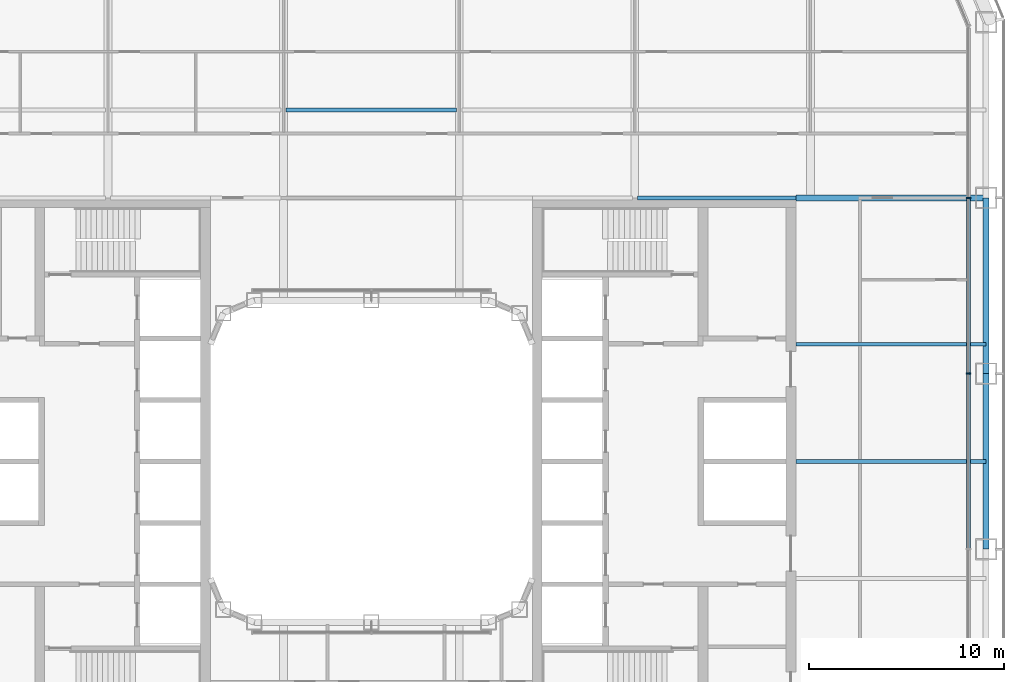
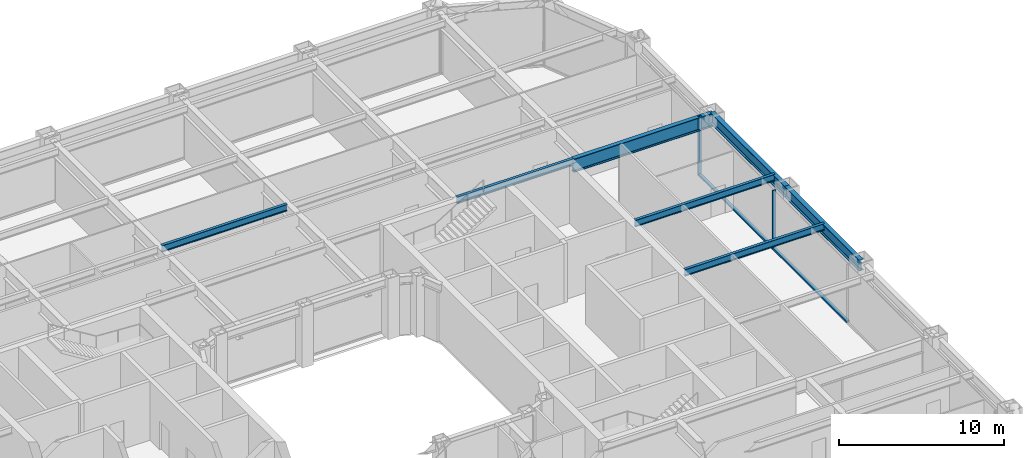
# One storey, part 9 of 24: 7 beams, 4 members, 1 element without a shape of its own.
"""IFC4 building model written with IfcOpenShell, lengths in metres."""

from ifc_helpers import new_model, si_unit, direction, frame, origin, origin_2d, place, context, subcontext, project, spatial, rectangle, i_section, extrude, material, layer, layer_set, material_profile, profile_set, type_object, element, aggregate, save


model = new_model("IFC4")

# Units and contexts
model_context = context("Model", 3, precision=1e-05, world=origin(), true_north=direction((0.0, 1.0)))
body_context = subcontext(model_context, "Body", "Model", "MODEL_VIEW")
ifc_project = project(units=[si_unit("LENGTHUNIT", "METRE"), si_unit("AREAUNIT", "SQUARE_METRE"), si_unit("VOLUMEUNIT", "CUBIC_METRE"), si_unit("PLANEANGLEUNIT", "RADIAN"), si_unit("MASSUNIT", "GRAM", prefix="KILO")], contexts=[model_context])

# Site, building, storey
site_placement = place(None, origin())
site = spatial("IfcSite", under=ifc_project, at=site_placement, CompositionType="ELEMENT")
building_placement = place(site_placement, origin())
building = spatial("IfcBuilding", under=site, at=building_placement, Name="Siwar Civic Tower", CompositionType="ELEMENT")
storey_placement = place(building_placement, frame((0.0, 0.0, 40.199951171875)))
storey = spatial("IfcBuildingStorey", under=building, at=storey_placement, Name="L08", CompositionType="ELEMENT", Elevation=40.199951171875)

# Curtain wall, members
ifc_material_1 = material(Name="Aluminium and glass", Category="aluminium")
ifc_layer = layer(ifc_material_1, 0.219970703125)
ifc_layer_set = layer_set([ifc_layer], Name="Aluminium and glass")
curtain_wall_type = type_object("IfcCurtainWallType", Name="ENV-CW-A", PredefinedType="NOTDEFINED", material=ifc_layer_set)
curtain_wall_placement = place(storey_placement, origin())
curtain_wall = element("IfcCurtainWall", 1, at=curtain_wall_placement, inside=storey, type_object=curtain_wall_type, Name="Curtain wall A E", PredefinedType="NOTDEFINED")
ifc_material_2 = material(Name="Aluminium 6063-T6", Category="aluminium")
ifc_material_profile_1 = material_profile(ifc_material_2, rectangle(XDim=0.219970703125, YDim=0.070068359375, at=origin_2d()), Name="AL 220x70")
ifc_profile_set_1 = profile_set([ifc_material_profile_1], Name="Aluminium 6063-T6")
member_type_1 = type_object("IfcMemberType", Name="ENV-MULLION-A", PredefinedType="MULLION", material=ifc_profile_set_1)
member_1_placement = place(storey_placement, frame((30.60009765625, 4.5, 0.0), z_axis=(0.0, 0.0, 1.0), x_axis=(-1.0, 0.0, 0.0)))
member_1 = element("IfcMember", 2, at=member_1_placement, type_object=member_type_1, Name="Mullion A E 4", PredefinedType="MULLION", context=body_context, shape_type="SweptSolid", body=[
    extrude(rectangle(XDim=0.219970703125, YDim=0.070068359375, at=origin_2d()), origin(), (0.0, 0.0, 1.0), 4.35009765625),
])
member_2_placement = place(storey_placement, frame((30.60009765625, 13.5, 0.0), z_axis=(0.0, 0.0, 1.0), x_axis=(-1.0, 0.0, 0.0)))
member_2 = element("IfcMember", 3, at=member_2_placement, type_object=member_type_1, Name="Mullion A E 5", PredefinedType="MULLION", context=body_context, shape_type="SweptSolid", body=[
    extrude(rectangle(XDim=0.219970703125, YDim=0.070068359375, at=origin_2d()), origin(), (0.0, 0.0, 1.0), 4.35009765625),
])
ifc_material_3 = material(Name="Aluminium 6063-T6", Category="aluminium")
ifc_material_profile_2 = material_profile(ifc_material_3, rectangle(XDim=0.219970703125, YDim=0.1201171875, at=origin_2d()), Name="AL 220x120")
ifc_profile_set_2 = profile_set([ifc_material_profile_2], Name="Aluminium 6063-T6")
member_type_2 = type_object("IfcMemberType", Name="ENV-TRANSOM-A", PredefinedType="USERDEFINED", material=ifc_profile_set_2)
member_3_placement = place(storey_placement, frame((30.60009765625, -4.465087890625, 0.06005859375), z_axis=(0.0, 1.0, 0.0), x_axis=(-1.0, 0.0, 0.0)))
member_3 = element("IfcMember", 4, at=member_3_placement, type_object=member_type_2, Name="Transom A E 3", ObjectType="TRANSOM", PredefinedType="USERDEFINED", context=body_context, shape_type="SweptSolid", body=[
    extrude(rectangle(XDim=0.219970703125, YDim=0.1201171875, at=origin_2d()), origin(), (0.0, 0.0, 1.0), 8.93017578125),
])
member_4_placement = place(storey_placement, frame((30.60009765625, 4.534912109375, 0.06005859375), z_axis=(0.0, 1.0, 0.0), x_axis=(-1.0, 0.0, 0.0)))
member_4 = element("IfcMember", 5, at=member_4_placement, type_object=member_type_2, Name="Transom A E 4", ObjectType="TRANSOM", PredefinedType="USERDEFINED", context=body_context, shape_type="SweptSolid", body=[
    extrude(rectangle(XDim=0.219970703125, YDim=0.1201171875, at=origin_2d()), origin(), (0.0, 0.0, 1.0), 8.93017578125),
])
aggregate(curtain_wall, [member_1, member_2, member_3, member_4])

# Beams
ifc_material_4 = material(Name="Steel S355", Category="steel")
ifc_material_profile_3 = material_profile(ifc_material_4, i_section(OverallWidth=0.199951171875, OverallDepth=0.5, WebThickness=0.01025390625, FlangeThickness=0.01611328125, FilletRadius=0.02099609375, at=origin_2d()), Name="IPE500")
ifc_profile_set_3 = profile_set([ifc_material_profile_3], Name="Steel S355")
beam_type_1 = type_object("IfcBeamType", Name="STR-FB-IPE500", PredefinedType="JOIST", material=ifc_profile_set_3)
for number, where, z_axis, x_axis, name in (
    (6, (21.75, 0.0, 4.10009765625), (1.0, 0.0, 0.0), (0.0, 1.0, 0.0), "L08/bm/F034"),
    (7, (21.75, 6.0, 4.10009765625), (1.0, 0.0, 0.0), (0.0, 1.0, 0.0), "L08/bm/F036"),
):
    element("IfcBeam", number, at=place(storey_placement, frame(where, z_axis=z_axis, x_axis=x_axis)), inside=storey, type_object=beam_type_1, Name=name, PredefinedType="JOIST", context=body_context, shape_type="SweptSolid", body=[
        extrude(i_section(OverallWidth=0.199951171875, OverallDepth=0.5, WebThickness=0.01025390625, FlangeThickness=0.01611328125, FilletRadius=0.02099609375, at=origin_2d()), origin(), (0.0, 0.0, 1.0), 9.75),
    ])
beam_1_placement = place(storey_placement, frame((13.6298828125, 13.5, 4.10009765625), z_axis=(1.0, 0.0, 0.0), x_axis=(0.0, 1.0, 0.0)))
element("IfcBeam", 8, at=beam_1_placement, inside=storey, type_object=beam_type_1, Name="L08/bm/F044", PredefinedType="JOIST", context=body_context, shape_type="SweptSolid", body=[
    extrude(i_section(OverallWidth=0.199951171875, OverallDepth=0.5, WebThickness=0.01025390625, FlangeThickness=0.01611328125, FilletRadius=0.02099609375, at=origin_2d()), origin(), (0.0, 0.0, 1.0), 8.1201171875),
])
beam_2_placement = place(storey_placement, frame((-4.3701171875, 18.0, 4.10009765625), z_axis=(1.0, 0.0, 0.0), x_axis=(0.0, 1.0, 0.0)))
element("IfcBeam", 9, at=beam_2_placement, inside=storey, type_object=beam_type_1, Name="L08/bm/F049", PredefinedType="JOIST", context=body_context, shape_type="SweptSolid", body=[
    extrude(i_section(OverallWidth=0.199951171875, OverallDepth=0.5, WebThickness=0.01025390625, FlangeThickness=0.01611328125, FilletRadius=0.02099609375, at=origin_2d()), origin(), (0.0, 0.0, 1.0), 8.740234375),
])
ifc_material_5 = material(Name="Steel S355", Category="steel")
ifc_material_profile_4 = material_profile(ifc_material_5, i_section(OverallWidth=0.300048828125, OverallDepth=1.0, WebThickness=0.01904296875, FlangeThickness=0.035888671875, FilletRadius=0.030029296875, at=origin_2d()), Name="HEB1000")
ifc_profile_set_4 = profile_set([ifc_material_profile_4], Name="Steel S355")
beam_type_2 = type_object("IfcBeamType", Name="STR-PG-HEB1000", PredefinedType="BEAM", material=ifc_profile_set_4)
beam_3_placement = place(storey_placement, frame((21.75, 13.5, 3.85009765625), z_axis=(1.0, 0.0, 0.0), x_axis=(0.0, 1.0, 0.0)))
element("IfcBeam", 10, at=beam_3_placement, inside=storey, type_object=beam_type_2, Name="L08/bm/F045", PredefinedType="BEAM", context=body_context, shape_type="SweptSolid", body=[
    extrude(i_section(OverallWidth=0.300048828125, OverallDepth=1.0, WebThickness=0.01904296875, FlangeThickness=0.035888671875, FilletRadius=0.030029296875, at=origin_2d()), origin(), (0.0, 0.0, 1.0), 9.75),
])
ifc_material_6 = material(Name="Steel S355", Category="steel")
ifc_material_profile_5 = material_profile(ifc_material_6, i_section(OverallWidth=0.302978515625, OverallDepth=0.81396484375, WebThickness=0.02099609375, FlangeThickness=0.0400390625, FilletRadius=0.030029296875, at=origin_2d()), Name="HEM800")
ifc_profile_set_5 = profile_set([ifc_material_profile_5], Name="Steel S355")
beam_type_3 = type_object("IfcBeamType", Name="STR-SB-HEM800", PredefinedType="BEAM", material=ifc_profile_set_5)
for number, where, z_axis, x_axis, name in (
    (11, (31.5, -4.5, 3.943115234375), (0.0, 1.0, 0.0), (-1.0, 0.0, 0.0), "L08/bm/SE-2"),
    (12, (31.5, 4.5, 3.943115234375), (0.0, 1.0, 0.0), (-1.0, 0.0, 0.0), "L08/bm/SE-3"),
):
    element("IfcBeam", number, at=place(storey_placement, frame(where, z_axis=z_axis, x_axis=x_axis)), inside=storey, type_object=beam_type_3, Name=name, PredefinedType="BEAM", context=body_context, shape_type="SweptSolid", body=[
        extrude(i_section(OverallWidth=0.302978515625, OverallDepth=0.81396484375, WebThickness=0.02099609375, FlangeThickness=0.0400390625, FilletRadius=0.030029296875, at=origin_2d()), origin(), (0.0, 0.0, 1.0), 9.0),
    ])

save(model, "model.ifc")
